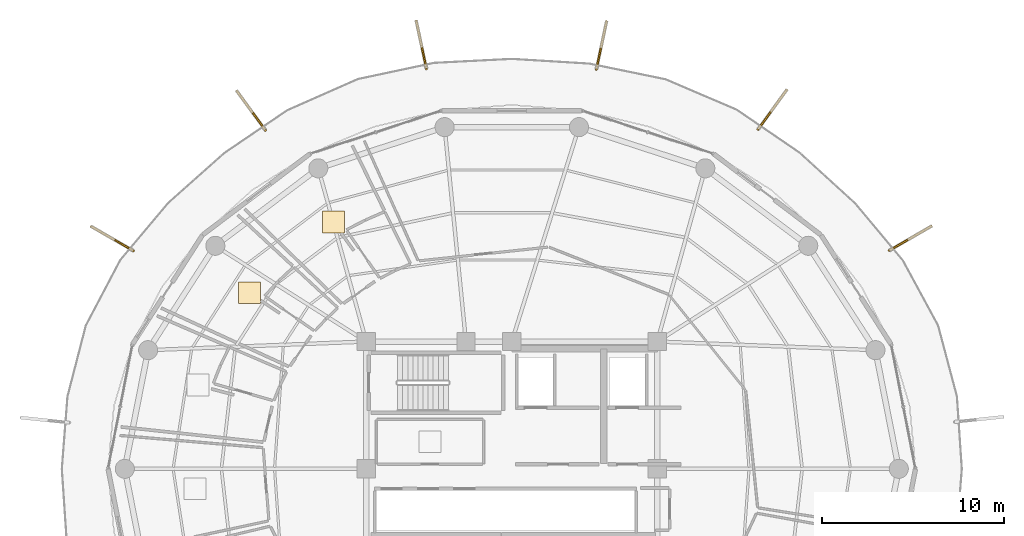
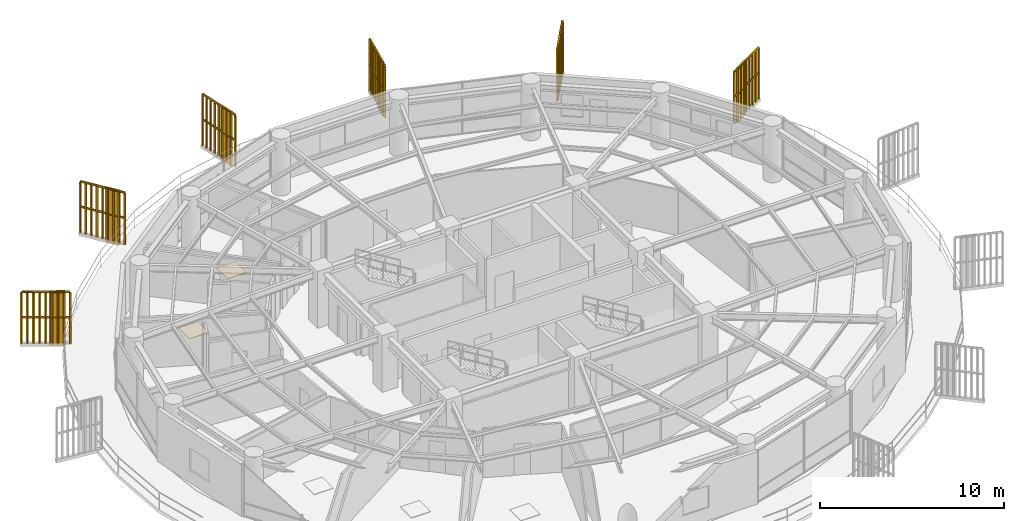
# One storey, part 31 of 31: 6 railings, 6 shading devices, 2 coverings.
"""IFC4 building model written with IfcOpenShell, lengths in metres."""

import ifcopenshell
import ifcopenshell.guid

model = None  # the IFC model being written
_history = None  # IfcOwnerHistory: only IFC2X3 demands one
_inside = {}  # id of a spatial element -> (the spatial element, [elements in it])
_under = {}  # id of a project, library or spatial element -> (it, [spatial elements below it])
_declared = {}  # id of a project -> (the project, [libraries it declares])
_typed = {}  # id of a type object -> (the type object, [elements of that type])
_made_of = {}  # id of a material, layer set ... -> (it, [elements and type objects made of it])


def new_model(schema):
    """Start an empty IFC model of exactly this schema.

    Asked for "IFC4X3", IfcOpenShell would pick the latest addendum, in which some entities
    have other attributes; the version numbers below select the first issue.
    IFC2X3 requires an IfcOwnerHistory on every rooted entity: one is made here for all.
    """
    global model, _history
    if schema == "IFC4X3":
        model = ifcopenshell.file(schema_version=(4, 3, 0, 0))
    else:
        model = ifcopenshell.file(schema=schema)
    _inside.clear()
    _under.clear()
    _declared.clear()
    _typed.clear()
    _made_of.clear()
    _history = None
    if model.schema == "IFC2X3":
        org = make("IfcOrganization", Name="unknown")
        user = make(
            "IfcPersonAndOrganization",
            ThePerson=make("IfcPerson", FamilyName="unknown"),
            TheOrganization=org,
        )
        app = make(
            "IfcApplication",
            ApplicationDeveloper=org,
            Version="unknown",
            ApplicationFullName="unknown",
            ApplicationIdentifier="unknown",
        )
        _history = make(
            "IfcOwnerHistory",
            OwningUser=user,
            OwningApplication=app,
            ChangeAction="ADDED",
            CreationDate=0,
        )
    return model


def make(cls, **values):
    """One entity of the class cls with the attributes given. An attribute that is None is left unset."""
    return model.create_entity(
        cls, **{name: value for name, value in values.items() if value is not None}
    )


def rooted(cls, **values):
    """An entity with a GlobalId (a new one), such as an element, a storey or a relation."""
    return make(cls, GlobalId=ifcopenshell.guid.new(), OwnerHistory=_history, **values)


def si_unit(unit_type, name, prefix=None):
    """IfcSIUnit, for example si_unit("LENGTHUNIT", "METRE", prefix="MILLI")."""
    return make("IfcSIUnit", UnitType=unit_type, Prefix=prefix, Name=name)


def assignment(units):
    """IfcUnitAssignment: the units of a project."""
    return None if units is None else make("IfcUnitAssignment", Units=units)


def point(xyz):
    """IfcCartesianPoint."""
    return None if xyz is None else make("IfcCartesianPoint", Coordinates=xyz)


def direction(xyz):
    """IfcDirection."""
    return None if xyz is None else make("IfcDirection", DirectionRatios=xyz)


def frame(location, z_axis=None, x_axis=None):
    """IfcAxis2Placement3D, a coordinate frame: its origin and axes. An axis left out is left unset."""
    return make(
        "IfcAxis2Placement3D",
        Location=point(location),
        Axis=direction(z_axis),
        RefDirection=direction(x_axis),
    )


def frame_2d(location, x_axis=None):
    """IfcAxis2Placement2D, a coordinate frame in the plane: its origin and x axis."""
    return make(
        "IfcAxis2Placement2D", Location=point(location), RefDirection=direction(x_axis)
    )


def origin():
    """The frame at (0, 0, 0) with its axes left unset."""
    return frame((0.0, 0.0, 0.0))


def origin_2d():
    """The frame at (0, 0) in the plane with its x axis left unset."""
    return frame_2d((0.0, 0.0))


def place(relative_to, where):
    """IfcLocalPlacement: puts the frame where relative to a parent placement (None: the world)."""
    return make(
        "IfcLocalPlacement", PlacementRelTo=relative_to, RelativePlacement=where
    )


def context(
    kind, dimensions, precision=None, world=None, true_north=None, identifier=None
):
    """IfcGeometricRepresentationContext, for example the 3D "Model" context."""
    return make(
        "IfcGeometricRepresentationContext",
        ContextIdentifier=identifier,
        ContextType=kind,
        CoordinateSpaceDimension=dimensions,
        Precision=precision,
        WorldCoordinateSystem=world,
        TrueNorth=true_north,
    )


def subcontext(parent, identifier, kind, view, scale=None):
    """IfcGeometricRepresentationSubContext, for example "Body" below "Model"."""
    return make(
        "IfcGeometricRepresentationSubContext",
        ContextIdentifier=identifier,
        ContextType=kind,
        ParentContext=parent,
        TargetScale=scale,
        TargetView=view,
    )


def project(units=None, contexts=None):
    """IfcProject with its units and contexts."""
    return rooted(
        "IfcProject",
        Name="project",
        RepresentationContexts=contexts,
        UnitsInContext=assignment(units),
    )


def spatial(cls, under=None, at=None, **own):
    """A site, building, storey or space (cls), placed at a placement, below another one or the project."""
    s = rooted(cls, ObjectPlacement=at, **own)
    if under is not None:
        _under.setdefault(under.id(), (under, []))[1].append(s)
    return s


def polyline(points):
    """IfcPolyline through the points."""
    return make("IfcPolyline", Points=[point(p) for p in points])


def profile(cls, at=None, kind="AREA", **sizes):
    """A parametric profile (cls). Its sizes go by their IFC names, for example OverallWidth=200.0."""
    return make(cls, ProfileType=kind, Position=at, **sizes)


def rectangle(**sizes):
    """IfcRectangleProfileDef."""
    return profile("IfcRectangleProfileDef", **sizes)


def outline(outer, holes=None, kind="AREA"):
    """IfcArbitraryClosedProfileDef: a profile drawn as a closed curve; with holes, ...WithVoids."""
    if holes is None:
        return make("IfcArbitraryClosedProfileDef", ProfileType=kind, OuterCurve=outer)
    return make(
        "IfcArbitraryProfileDefWithVoids",
        ProfileType=kind,
        OuterCurve=outer,
        InnerCurves=holes,
    )


def extrude(swept, where, along, depth):
    """IfcExtrudedAreaSolid: the profile swept, set in the frame where, extruded along a direction by depth."""
    return make(
        "IfcExtrudedAreaSolid",
        SweptArea=swept,
        Position=where,
        ExtrudedDirection=direction(along),
        Depth=depth,
    )


def shape(context_of_items, identifier, shape_type, items):
    """IfcShapeRepresentation: the items that make up one representation, for example the "Body"."""
    return make(
        "IfcShapeRepresentation",
        ContextOfItems=context_of_items,
        RepresentationIdentifier=identifier,
        RepresentationType=shape_type,
        Items=items,
    )


def source(mapping_origin, context_of_items, identifier, shape_type, items):
    """IfcRepresentationMap: a shape defined once, which mapped items show again and again."""
    return make(
        "IfcRepresentationMap",
        MappingOrigin=mapping_origin,
        MappedRepresentation=shape(context_of_items, identifier, shape_type, items),
    )


def transform(
    local_origin,
    x_axis=None,
    y_axis=None,
    z_axis=None,
    scale=None,
    scale2=None,
    scale3=None,
    uniform=True,
):
    """IfcCartesianTransformationOperator3D, or its non-uniform kind. x_axis, y_axis, z_axis: its Axis1, 2, 3."""
    if uniform:
        return make(
            "IfcCartesianTransformationOperator3D",
            Axis1=direction(x_axis),
            Axis2=direction(y_axis),
            LocalOrigin=point(local_origin),
            Scale=scale,
            Axis3=direction(z_axis),
        )
    return make(
        "IfcCartesianTransformationOperator3DnonUniform",
        Axis1=direction(x_axis),
        Axis2=direction(y_axis),
        LocalOrigin=point(local_origin),
        Scale=scale,
        Axis3=direction(z_axis),
        Scale2=scale2,
        Scale3=scale3,
    )


def mapped(mapping_source, mapping_target):
    """IfcMappedItem: shows the shape of a source again, moved by a transform."""
    return make(
        "IfcMappedItem", MappingSource=mapping_source, MappingTarget=mapping_target
    )


def material(Name=None, Category=None):
    """IfcMaterial."""
    return make("IfcMaterial", Name=Name, Category=Category)


def layer(
    of_material, thickness, ventilated=None, Name=None, Category=None, Priority=None
):
    """IfcMaterialLayer: one layer of a wall or slab, of a material (None: an air gap)."""
    return make(
        "IfcMaterialLayer",
        Material=of_material,
        LayerThickness=thickness,
        IsVentilated=ventilated,
        Name=Name,
        Category=Category,
        Priority=Priority,
    )


def layer_set(layers, Name=None):
    """IfcMaterialLayerSet."""
    return make("IfcMaterialLayerSet", MaterialLayers=layers, LayerSetName=Name)


def made_of(thing, what):
    """Note that an element or type object is made of a material, layer set ...; save() writes the relation."""
    if what is not None:
        _made_of.setdefault(what.id(), (what, []))[1].append(thing)
    return thing


def type_object(cls, material=None, **own):
    """A type object (cls), such as IfcWallType, which elements share."""
    return made_of(rooted(cls, **own), material)


def element(
    cls,
    number,
    at=None,
    inside=None,
    cuts=None,
    type_object=None,
    material=None,
    context=None,
    identifier="Body",
    shape_type=None,
    held_by="IfcProductDefinitionShape",
    body=None,
    shapes=None,
    **own,
):
    """One element of the class cls, such as IfcWall. Its Tag is "e" and its number.

    at: its placement. inside: the storey or other place that contains it. cuts: it is an
    opening in that element (IfcRelVoidsElement). A single representation is given by context,
    identifier, shape_type and body (its items); several are given by shapes. held_by: the class
    of the entity that holds the representations. save() writes the other relations.
    """
    e = rooted(cls, Tag="e%d" % number, ObjectPlacement=at, **own)
    if body is not None:
        shapes = [shape(context, identifier, shape_type, body)]
    if shapes is not None:
        e.Representation = make(held_by, Representations=shapes)
    if inside is not None:
        _inside.setdefault(inside.id(), (inside, []))[1].append(e)
    if cuts is not None:
        rooted(
            "IfcRelVoidsElement", RelatingBuildingElement=cuts, RelatedOpeningElement=e
        )
    if type_object is not None:
        _typed.setdefault(type_object.id(), (type_object, []))[1].append(e)
    return made_of(e, material)


def aggregate(whole, parts):
    """IfcRelAggregates: a whole, such as a stair, and the parts it consists of."""
    return rooted("IfcRelAggregates", RelatingObject=whole, RelatedObjects=parts)


def save(model, path):
    """Write the relations noted so far, then the file.

    IfcRelAggregates (storeys below a building ...), IfcRelContainedInSpatialStructure (elements
    in a storey), IfcRelDefinesByType, IfcRelAssociatesMaterial and IfcRelDeclares: one each for
    every whole, place, type object, material and project.
    """
    for whole, parts in _under.values():
        aggregate(whole, parts)
    for where, things in _inside.values():
        rooted(
            "IfcRelContainedInSpatialStructure",
            RelatedElements=things,
            RelatingStructure=where,
        )
    for kind, things in _typed.values():
        rooted("IfcRelDefinesByType", RelatedObjects=things, RelatingType=kind)
    for what, things in _made_of.values():
        rooted("IfcRelAssociatesMaterial", RelatedObjects=things, RelatingMaterial=what)
    for by, libraries in _declared.values():
        rooted("IfcRelDeclares", RelatingContext=by, RelatedDefinitions=libraries)
    model.write(path)


model = new_model("IFC4")

# Units and contexts
model_context = context("Model", 3, precision=1e-05, world=origin(), true_north=direction((0.0, 1.0)))
body_context = subcontext(model_context, "Body", "Model", "MODEL_VIEW")
ifc_project = project(units=[si_unit("LENGTHUNIT", "METRE"), si_unit("AREAUNIT", "SQUARE_METRE"), si_unit("VOLUMEUNIT", "CUBIC_METRE"), si_unit("PLANEANGLEUNIT", "RADIAN"), si_unit("MASSUNIT", "GRAM", prefix="KILO")], contexts=[model_context])

# Site, building, storey
site_placement = place(None, origin())
site = spatial("IfcSite", under=ifc_project, at=site_placement, CompositionType="ELEMENT")
building_placement = place(site_placement, origin())
building = spatial("IfcBuilding", under=site, at=building_placement, Name="Kelanora Arch Commons", CompositionType="ELEMENT")
storey_placement = place(building_placement, frame((0.0, 0.0, 223.199951171875)))
storey = spatial("IfcBuildingStorey", under=building, at=storey_placement, Name="L57", CompositionType="ELEMENT", Elevation=223.199951171875)

# Railings
ifc_material_1 = material(Name="Anodised bronze vertical shading fin rib assembly")
railing_type = type_object("IfcRailingType", Name="RAIL-FIN-BRZ", PredefinedType="BALUSTRADE", material=ifc_material_1)
railing_1_placement = place(storey_placement, frame((94.761962890625, 70.007080078125, -0.02001953125)))
element("IfcRailing", 1, at=railing_1_placement, inside=storey, type_object=railing_type, Name="Sweeping Bronze Vertical Fin Blade L57-03", PredefinedType="BALUSTRADE", context=body_context, shape_type="SweptSolid", body=[
    extrude(outline(polyline([(0.06982421875, 0.0), (0.034912109375, 0.060546875), (-0.034912109375, 0.060546875), (-0.06982421875, 0.0), (-0.034912109375, -0.060546875), (0.034912109375, -0.060546875), (0.06982421875, 0.0)])), frame((0.0, 0.0, 3.419921875), z_axis=(0.865646897328, 0.500655020095, 0.0), x_axis=(-0.500655020095, 0.865646897328, 0.0)), (0.0, 0.0, 1.0), 2.65087890625),
    extrude(outline(polyline([(0.06982421875, 0.0), (0.034912109375, 0.060546875), (-0.034912109375, 0.060546875), (-0.06982421875, 0.0), (-0.034912109375, -0.060546875), (0.034912109375, -0.060546875), (0.06982421875, 0.0)])), frame((0.0, 0.0, 1.7451171875), z_axis=(0.865646897328, 0.500655020095, 0.0), x_axis=(-0.500655020095, 0.865646897328, 0.0)), (0.0, 0.0, 1.0), 2.65087890625),
    extrude(outline(polyline([(0.080078125, 0.0), (0.0400390625, 0.0693359375), (-0.0400390625, 0.0693359375), (-0.080078125, 0.0), (-0.0400390625, -0.0693359375), (0.0400390625, -0.0693359375), (0.080078125, 0.0)])), origin(), (0.0, 0.0, 1.0), 3.35009765625),
    extrude(outline(polyline([(0.080078125, 0.0), (0.0400390625, 0.0693359375), (-0.0400390625, 0.0693359375), (-0.080078125, 0.0), (-0.0400390625, -0.0693359375), (0.0400390625, -0.0693359375), (0.080078125, 0.0)])), frame((0.286865234375, 0.166015625, 0.0)), (0.0, 0.0, 1.0), 3.35009765625),
    extrude(outline(polyline([(0.080078125, 0.0), (0.0400390625, 0.0693359375), (-0.0400390625, 0.0693359375), (-0.080078125, 0.0), (-0.0400390625, -0.0693359375), (0.0400390625, -0.0693359375), (0.080078125, 0.0)])), frame((0.57373046875, 0.331787109375, 0.0)), (0.0, 0.0, 1.0), 3.35009765625),
    extrude(outline(polyline([(0.080078125, 0.0), (0.0400390625, 0.0693359375), (-0.0400390625, 0.0693359375), (-0.080078125, 0.0), (-0.0400390625, -0.0693359375), (0.0400390625, -0.0693359375), (0.080078125, 0.0)])), frame((0.860595703125, 0.49755859375, 0.0)), (0.0, 0.0, 1.0), 3.35009765625),
    extrude(outline(polyline([(0.080078125, 0.0), (0.0400390625, 0.0693359375), (-0.0400390625, 0.0693359375), (-0.080078125, 0.0), (-0.0400390625, -0.0693359375), (0.0400390625, -0.0693359375), (0.080078125, 0.0)])), frame((1.1474609375, 0.66357421875, 0.0)), (0.0, 0.0, 1.0), 3.35009765625),
    extrude(outline(polyline([(0.080078125, 0.0), (0.0400390625, 0.0693359375), (-0.0400390625, 0.0693359375), (-0.080078125, 0.0), (-0.0400390625, -0.0693359375), (0.0400390625, -0.0693359375), (0.080078125, 0.0)])), frame((1.43408203125, 0.82958984375, 0.0)), (0.0, 0.0, 1.0), 3.35009765625),
    extrude(outline(polyline([(0.080078125, 0.0), (0.0400390625, 0.0693359375), (-0.0400390625, 0.0693359375), (-0.080078125, 0.0), (-0.0400390625, -0.0693359375), (0.0400390625, -0.0693359375), (0.080078125, 0.0)])), frame((1.720947265625, 0.995361328125, 0.0)), (0.0, 0.0, 1.0), 3.35009765625),
    extrude(outline(polyline([(0.080078125, 0.0), (0.0400390625, 0.0693359375), (-0.0400390625, 0.0693359375), (-0.080078125, 0.0), (-0.0400390625, -0.0693359375), (0.0400390625, -0.0693359375), (0.080078125, 0.0)])), frame((2.0078125, 1.1611328125, 0.0)), (0.0, 0.0, 1.0), 3.35009765625),
    extrude(outline(polyline([(0.080078125, 0.0), (0.0400390625, 0.0693359375), (-0.0400390625, 0.0693359375), (-0.080078125, 0.0), (-0.0400390625, -0.0693359375), (0.0400390625, -0.0693359375), (0.080078125, 0.0)])), frame((2.294677734375, 1.3271484375, 0.0)), (0.0, 0.0, 1.0), 3.35009765625),
])
railing_2_placement = place(storey_placement, frame((87.547607421875, 76.67529296875, -0.02001953125)))
element("IfcRailing", 2, at=railing_2_placement, inside=storey, type_object=railing_type, Name="Sweeping Bronze Vertical Fin Blade L57-04", PredefinedType="BALUSTRADE", context=body_context, shape_type="SweptSolid", body=[
    extrude(outline(polyline([(0.06982421875, 0.0), (0.034912109375, 0.060546875), (-0.034912109375, 0.060546875), (-0.06982421875, 0.0), (-0.034912109375, -0.060546875), (0.034912109375, -0.060546875), (0.06982421875, 0.0)])), frame((0.0, 0.0, 3.419921875), z_axis=(0.587147156859, 0.809480213589, 0.0), x_axis=(-0.809480213589, 0.587147156859, 0.0)), (0.0, 0.0, 1.0), 2.65087890625),
    extrude(outline(polyline([(0.06982421875, 0.0), (0.034912109375, 0.060546875), (-0.034912109375, 0.060546875), (-0.06982421875, 0.0), (-0.034912109375, -0.060546875), (0.034912109375, -0.060546875), (0.06982421875, 0.0)])), frame((0.0, 0.0, 1.7451171875), z_axis=(0.587147156859, 0.809480213589, 0.0), x_axis=(-0.809480213589, 0.587147156859, 0.0)), (0.0, 0.0, 1.0), 2.65087890625),
    extrude(outline(polyline([(0.080078125, 0.0), (0.0400390625, 0.0693359375), (-0.0400390625, 0.0693359375), (-0.080078125, 0.0), (-0.0400390625, -0.0693359375), (0.0400390625, -0.0693359375), (0.080078125, 0.0)])), origin(), (0.0, 0.0, 1.0), 3.35009765625),
    extrude(outline(polyline([(0.080078125, 0.0), (0.0400390625, 0.0693359375), (-0.0400390625, 0.0693359375), (-0.080078125, 0.0), (-0.0400390625, -0.0693359375), (0.0400390625, -0.0693359375), (0.080078125, 0.0)])), frame((0.194580078125, 0.268310546875, 0.0)), (0.0, 0.0, 1.0), 3.35009765625),
    extrude(outline(polyline([(0.080078125, 0.0), (0.0400390625, 0.0693359375), (-0.0400390625, 0.0693359375), (-0.080078125, 0.0), (-0.0400390625, -0.0693359375), (0.0400390625, -0.0693359375), (0.080078125, 0.0)])), frame((0.38916015625, 0.536376953125, 0.0)), (0.0, 0.0, 1.0), 3.35009765625),
    extrude(outline(polyline([(0.080078125, 0.0), (0.0400390625, 0.0693359375), (-0.0400390625, 0.0693359375), (-0.080078125, 0.0), (-0.0400390625, -0.0693359375), (0.0400390625, -0.0693359375), (0.080078125, 0.0)])), frame((0.583740234375, 0.8046875, 0.0)), (0.0, 0.0, 1.0), 3.35009765625),
    extrude(outline(polyline([(0.080078125, 0.0), (0.0400390625, 0.0693359375), (-0.0400390625, 0.0693359375), (-0.080078125, 0.0), (-0.0400390625, -0.0693359375), (0.0400390625, -0.0693359375), (0.080078125, 0.0)])), frame((0.7783203125, 1.07275390625, 0.0)), (0.0, 0.0, 1.0), 3.35009765625),
    extrude(outline(polyline([(0.080078125, 0.0), (0.0400390625, 0.0693359375), (-0.0400390625, 0.0693359375), (-0.080078125, 0.0), (-0.0400390625, -0.0693359375), (0.0400390625, -0.0693359375), (0.080078125, 0.0)])), frame((0.97265625, 1.341064453125, 0.0)), (0.0, 0.0, 1.0), 3.35009765625),
    extrude(outline(polyline([(0.080078125, 0.0), (0.0400390625, 0.0693359375), (-0.0400390625, 0.0693359375), (-0.080078125, 0.0), (-0.0400390625, -0.0693359375), (0.0400390625, -0.0693359375), (0.080078125, 0.0)])), frame((1.167236328125, 1.609375, 0.0)), (0.0, 0.0, 1.0), 3.35009765625),
    extrude(outline(polyline([(0.080078125, 0.0), (0.0400390625, 0.0693359375), (-0.0400390625, 0.0693359375), (-0.080078125, 0.0), (-0.0400390625, -0.0693359375), (0.0400390625, -0.0693359375), (0.080078125, 0.0)])), frame((1.36181640625, 1.87744140625, 0.0)), (0.0, 0.0, 1.0), 3.35009765625),
    extrude(outline(polyline([(0.080078125, 0.0), (0.0400390625, 0.0693359375), (-0.0400390625, 0.0693359375), (-0.080078125, 0.0), (-0.0400390625, -0.0693359375), (0.0400390625, -0.0693359375), (0.080078125, 0.0)])), frame((1.556396484375, 2.145751953125, 0.0)), (0.0, 0.0, 1.0), 3.35009765625),
])
railing_3_placement = place(storey_placement, frame((78.6552734375, 79.980224609375, -0.02001953125)))
element("IfcRailing", 3, at=railing_3_placement, inside=storey, type_object=railing_type, Name="Sweeping Bronze Vertical Fin Blade L57-05", PredefinedType="BALUSTRADE", context=body_context, shape_type="SweptSolid", body=[
    extrude(outline(polyline([(0.06982421875, 0.0), (0.034912109375, 0.060546875), (-0.034912109375, 0.060546875), (-0.06982421875, 0.0), (-0.034912109375, -0.060546875), (0.034912109375, -0.060546875), (0.06982421875, 0.0)])), frame((0.0, 0.0, 3.419921875), z_axis=(0.207138293188, 0.978311671961, 0.0), x_axis=(-0.978311671961, 0.207138293188, 0.0)), (0.0, 0.0, 1.0), 2.650634765625),
    extrude(outline(polyline([(0.06982421875, 0.0), (0.034912109375, 0.060546875), (-0.034912109375, 0.060546875), (-0.06982421875, 0.0), (-0.034912109375, -0.060546875), (0.034912109375, -0.060546875), (0.06982421875, 0.0)])), frame((0.0, 0.0, 1.7451171875), z_axis=(0.207138293188, 0.978311671961, 0.0), x_axis=(-0.978311671961, 0.207138293188, 0.0)), (0.0, 0.0, 1.0), 2.650634765625),
    extrude(outline(polyline([(0.080078125, 0.0), (0.0400390625, 0.0693359375), (-0.0400390625, 0.0693359375), (-0.080078125, 0.0), (-0.0400390625, -0.0693359375), (0.0400390625, -0.0693359375), (0.080078125, 0.0)])), origin(), (0.0, 0.0, 1.0), 3.35009765625),
    extrude(outline(polyline([(0.080078125, 0.0), (0.0400390625, 0.0693359375), (-0.0400390625, 0.0693359375), (-0.080078125, 0.0), (-0.0400390625, -0.0693359375), (0.0400390625, -0.0693359375), (0.080078125, 0.0)])), frame((0.068603515625, 0.32421875, 0.0)), (0.0, 0.0, 1.0), 3.35009765625),
    extrude(outline(polyline([(0.080078125, 0.0), (0.0400390625, 0.0693359375), (-0.0400390625, 0.0693359375), (-0.080078125, 0.0), (-0.0400390625, -0.0693359375), (0.0400390625, -0.0693359375), (0.080078125, 0.0)])), frame((0.13720703125, 0.6484375, 0.0)), (0.0, 0.0, 1.0), 3.35009765625),
    extrude(outline(polyline([(0.080078125, 0.0), (0.0400390625, 0.0693359375), (-0.0400390625, 0.0693359375), (-0.080078125, 0.0), (-0.0400390625, -0.0693359375), (0.0400390625, -0.0693359375), (0.080078125, 0.0)])), frame((0.205810546875, 0.972412109375, 0.0)), (0.0, 0.0, 1.0), 3.35009765625),
    extrude(outline(polyline([(0.080078125, 0.0), (0.0400390625, 0.0693359375), (-0.0400390625, 0.0693359375), (-0.080078125, 0.0), (-0.0400390625, -0.0693359375), (0.0400390625, -0.0693359375), (0.080078125, 0.0)])), frame((0.2744140625, 1.296630859375, 0.0)), (0.0, 0.0, 1.0), 3.35009765625),
    extrude(outline(polyline([(0.080078125, 0.0), (0.0400390625, 0.0693359375), (-0.0400390625, 0.0693359375), (-0.080078125, 0.0), (-0.0400390625, -0.0693359375), (0.0400390625, -0.0693359375), (0.080078125, 0.0)])), frame((0.34326171875, 1.620849609375, 0.0)), (0.0, 0.0, 1.0), 3.35009765625),
    extrude(outline(polyline([(0.080078125, 0.0), (0.0400390625, 0.0693359375), (-0.0400390625, 0.0693359375), (-0.080078125, 0.0), (-0.0400390625, -0.0693359375), (0.0400390625, -0.0693359375), (0.080078125, 0.0)])), frame((0.411865234375, 1.94482421875, 0.0)), (0.0, 0.0, 1.0), 3.35009765625),
    extrude(outline(polyline([(0.080078125, 0.0), (0.0400390625, 0.0693359375), (-0.0400390625, 0.0693359375), (-0.080078125, 0.0), (-0.0400390625, -0.0693359375), (0.0400390625, -0.0693359375), (0.080078125, 0.0)])), frame((0.48046875, 2.26904296875, 0.0)), (0.0, 0.0, 1.0), 3.35009765625),
    extrude(outline(polyline([(0.080078125, 0.0), (0.0400390625, 0.0693359375), (-0.0400390625, 0.0693359375), (-0.080078125, 0.0), (-0.0400390625, -0.0693359375), (0.0400390625, -0.0693359375), (0.080078125, 0.0)])), frame((0.549072265625, 2.59326171875, 0.0)), (0.0, 0.0, 1.0), 3.35009765625),
])
railing_4_placement = place(storey_placement, frame((69.3046875, 80.0107421875, -0.02001953125)))
element("IfcRailing", 4, at=railing_4_placement, inside=storey, type_object=railing_type, Name="Sweeping Bronze Vertical Fin Blade L57-06", PredefinedType="BALUSTRADE", context=body_context, shape_type="SweptSolid", body=[
    extrude(outline(polyline([(0.06982421875, 0.0), (0.034912109375, 0.060546875), (-0.034912109375, 0.060546875), (-0.06982421875, 0.0), (-0.034912109375, -0.060546875), (0.034912109375, -0.060546875), (0.06982421875, 0.0)])), frame((0.0, 0.0, 3.419921875), z_axis=(-0.208604410176, 0.978000102278, 0.0), x_axis=(-0.978000102278, -0.208604410176, 0.0)), (0.0, 0.0, 1.0), 2.65087890625),
    extrude(outline(polyline([(0.06982421875, 0.0), (0.034912109375, 0.060546875), (-0.034912109375, 0.060546875), (-0.06982421875, 0.0), (-0.034912109375, -0.060546875), (0.034912109375, -0.060546875), (0.06982421875, 0.0)])), frame((0.0, 0.0, 1.7451171875), z_axis=(-0.208604410176, 0.978000102278, 0.0), x_axis=(-0.978000102278, -0.208604410176, 0.0)), (0.0, 0.0, 1.0), 2.65087890625),
    extrude(outline(polyline([(0.080078125, 0.0), (0.0400390625, 0.0693359375), (-0.0400390625, 0.0693359375), (-0.080078125, 0.0), (-0.0400390625, -0.0693359375), (0.0400390625, -0.0693359375), (0.080078125, 0.0)])), origin(), (0.0, 0.0, 1.0), 3.35009765625),
    extrude(outline(polyline([(0.080078125, 0.0), (0.0400390625, 0.0693359375), (-0.0400390625, 0.0693359375), (-0.080078125, 0.0), (-0.0400390625, -0.0693359375), (0.0400390625, -0.0693359375), (0.080078125, 0.0)])), frame((-0.069091796875, 0.323974609375, 0.0)), (0.0, 0.0, 1.0), 3.35009765625),
    extrude(outline(polyline([(0.080078125, 0.0), (0.0400390625, 0.0693359375), (-0.0400390625, 0.0693359375), (-0.080078125, 0.0), (-0.0400390625, -0.0693359375), (0.0400390625, -0.0693359375), (0.080078125, 0.0)])), frame((-0.13818359375, 0.648193359375, 0.0)), (0.0, 0.0, 1.0), 3.35009765625),
    extrude(outline(polyline([(0.080078125, 0.0), (0.0400390625, 0.0693359375), (-0.0400390625, 0.0693359375), (-0.080078125, 0.0), (-0.0400390625, -0.0693359375), (0.0400390625, -0.0693359375), (0.080078125, 0.0)])), frame((-0.207275390625, 0.97216796875, 0.0)), (0.0, 0.0, 1.0), 3.35009765625),
    extrude(outline(polyline([(0.080078125, 0.0), (0.0400390625, 0.0693359375), (-0.0400390625, 0.0693359375), (-0.080078125, 0.0), (-0.0400390625, -0.0693359375), (0.0400390625, -0.0693359375), (0.080078125, 0.0)])), frame((-0.2763671875, 1.29638671875, 0.0)), (0.0, 0.0, 1.0), 3.35009765625),
    extrude(outline(polyline([(0.080078125, 0.0), (0.0400390625, 0.0693359375), (-0.0400390625, 0.0693359375), (-0.080078125, 0.0), (-0.0400390625, -0.0693359375), (0.0400390625, -0.0693359375), (0.080078125, 0.0)])), frame((-0.345703125, 1.620361328125, 0.0)), (0.0, 0.0, 1.0), 3.35009765625),
    extrude(outline(polyline([(0.080078125, 0.0), (0.0400390625, 0.0693359375), (-0.0400390625, 0.0693359375), (-0.080078125, 0.0), (-0.0400390625, -0.0693359375), (0.0400390625, -0.0693359375), (0.080078125, 0.0)])), frame((-0.414794921875, 1.9443359375, 0.0)), (0.0, 0.0, 1.0), 3.35009765625),
    extrude(outline(polyline([(0.080078125, 0.0), (0.0400390625, 0.0693359375), (-0.0400390625, 0.0693359375), (-0.080078125, 0.0), (-0.0400390625, -0.0693359375), (0.0400390625, -0.0693359375), (0.080078125, 0.0)])), frame((-0.48388671875, 2.2685546875, 0.0)), (0.0, 0.0, 1.0), 3.35009765625),
    extrude(outline(polyline([(0.080078125, 0.0), (0.0400390625, 0.0693359375), (-0.0400390625, 0.0693359375), (-0.080078125, 0.0), (-0.0400390625, -0.0693359375), (0.0400390625, -0.0693359375), (0.080078125, 0.0)])), frame((-0.552978515625, 2.592529296875, 0.0)), (0.0, 0.0, 1.0), 3.35009765625),
])
railing_5_placement = place(storey_placement, frame((60.443603515625, 76.630126953125, -0.02001953125)))
element("IfcRailing", 5, at=railing_5_placement, inside=storey, type_object=railing_type, Name="Sweeping Bronze Vertical Fin Blade L57-07", PredefinedType="BALUSTRADE", context=body_context, shape_type="SweptSolid", body=[
    extrude(outline(polyline([(0.06982421875, 0.0), (0.034912109375, 0.060546875), (-0.034912109375, 0.060546875), (-0.06982421875, 0.0), (-0.034912109375, -0.060546875), (0.034912109375, -0.060546875), (0.06982421875, 0.0)])), frame((0.0, 0.0, 3.419921875), z_axis=(-0.588385234478, 0.8085807417, 0.0), x_axis=(-0.8085807417, -0.588385234478, 0.0)), (0.0, 0.0, 1.0), 2.651123046875),
    extrude(outline(polyline([(0.06982421875, 0.0), (0.034912109375, 0.060546875), (-0.034912109375, 0.060546875), (-0.06982421875, 0.0), (-0.034912109375, -0.060546875), (0.034912109375, -0.060546875), (0.06982421875, 0.0)])), frame((0.0, 0.0, 1.7451171875), z_axis=(-0.588385234478, 0.8085807417, 0.0), x_axis=(-0.8085807417, -0.588385234478, 0.0)), (0.0, 0.0, 1.0), 2.651123046875),
    extrude(outline(polyline([(0.080078125, 0.0), (0.0400390625, 0.0693359375), (-0.0400390625, 0.0693359375), (-0.080078125, 0.0), (-0.0400390625, -0.0693359375), (0.0400390625, -0.0693359375), (0.080078125, 0.0)])), origin(), (0.0, 0.0, 1.0), 3.35009765625),
    extrude(outline(polyline([(0.080078125, 0.0), (0.0400390625, 0.0693359375), (-0.0400390625, 0.0693359375), (-0.080078125, 0.0), (-0.0400390625, -0.0693359375), (0.0400390625, -0.0693359375), (0.080078125, 0.0)])), frame((-0.195068359375, 0.26806640625, 0.0)), (0.0, 0.0, 1.0), 3.35009765625),
    extrude(outline(polyline([(0.080078125, 0.0), (0.0400390625, 0.0693359375), (-0.0400390625, 0.0693359375), (-0.080078125, 0.0), (-0.0400390625, -0.0693359375), (0.0400390625, -0.0693359375), (0.080078125, 0.0)])), frame((-0.389892578125, 0.535888671875, 0.0)), (0.0, 0.0, 1.0), 3.35009765625),
    extrude(outline(polyline([(0.080078125, 0.0), (0.0400390625, 0.0693359375), (-0.0400390625, 0.0693359375), (-0.080078125, 0.0), (-0.0400390625, -0.0693359375), (0.0400390625, -0.0693359375), (0.080078125, 0.0)])), frame((-0.5849609375, 0.8037109375, 0.0)), (0.0, 0.0, 1.0), 3.35009765625),
    extrude(outline(polyline([(0.080078125, 0.0), (0.0400390625, 0.0693359375), (-0.0400390625, 0.0693359375), (-0.080078125, 0.0), (-0.0400390625, -0.0693359375), (0.0400390625, -0.0693359375), (0.080078125, 0.0)])), frame((-0.77978515625, 1.07177734375, 0.0)), (0.0, 0.0, 1.0), 3.35009765625),
    extrude(outline(polyline([(0.080078125, 0.0), (0.0400390625, 0.0693359375), (-0.0400390625, 0.0693359375), (-0.080078125, 0.0), (-0.0400390625, -0.0693359375), (0.0400390625, -0.0693359375), (0.080078125, 0.0)])), frame((-0.974853515625, 1.33984375, 0.0)), (0.0, 0.0, 1.0), 3.35009765625),
    extrude(outline(polyline([(0.080078125, 0.0), (0.0400390625, 0.0693359375), (-0.0400390625, 0.0693359375), (-0.080078125, 0.0), (-0.0400390625, -0.0693359375), (0.0400390625, -0.0693359375), (0.080078125, 0.0)])), frame((-1.169921875, 1.607666015625, 0.0)), (0.0, 0.0, 1.0), 3.35009765625),
    extrude(outline(polyline([(0.080078125, 0.0), (0.0400390625, 0.0693359375), (-0.0400390625, 0.0693359375), (-0.080078125, 0.0), (-0.0400390625, -0.0693359375), (0.0400390625, -0.0693359375), (0.080078125, 0.0)])), frame((-1.36474609375, 1.87548828125, 0.0)), (0.0, 0.0, 1.0), 3.35009765625),
    extrude(outline(polyline([(0.080078125, 0.0), (0.0400390625, 0.0693359375), (-0.0400390625, 0.0693359375), (-0.080078125, 0.0), (-0.0400390625, -0.0693359375), (0.0400390625, -0.0693359375), (0.080078125, 0.0)])), frame((-1.559814453125, 2.1435546875, 0.0)), (0.0, 0.0, 1.0), 3.35009765625),
])
railing_6_placement = place(storey_placement, frame((53.185302734375, 69.9970703125, -0.02001953125)))
element("IfcRailing", 6, at=railing_6_placement, inside=storey, type_object=railing_type, Name="Sweeping Bronze Vertical Fin Blade L57-08", PredefinedType="BALUSTRADE", context=body_context, shape_type="SweptSolid", body=[
    extrude(outline(polyline([(0.06982421875, 0.0), (0.034912109375, 0.060546875), (-0.034912109375, 0.060546875), (-0.06982421875, 0.0), (-0.034912109375, -0.060546875), (0.034912109375, -0.060546875), (0.06982421875, 0.0)])), frame((0.0, 0.0, 3.419921875), z_axis=(-0.866389443453, 0.499368934028, 0.0), x_axis=(-0.499368934028, -0.866389443453, 0.0)), (0.0, 0.0, 1.0), 2.65087890625),
    extrude(outline(polyline([(0.06982421875, 0.0), (0.034912109375, 0.060546875), (-0.034912109375, 0.060546875), (-0.06982421875, 0.0), (-0.034912109375, -0.060546875), (0.034912109375, -0.060546875), (0.06982421875, 0.0)])), frame((0.0, 0.0, 1.7451171875), z_axis=(-0.866389443453, 0.499368934028, 0.0), x_axis=(-0.499368934028, -0.866389443453, 0.0)), (0.0, 0.0, 1.0), 2.65087890625),
    extrude(outline(polyline([(0.080078125, 0.0), (0.0400390625, 0.0693359375), (-0.0400390625, 0.0693359375), (-0.080078125, 0.0), (-0.0400390625, -0.0693359375), (0.0400390625, -0.0693359375), (0.080078125, 0.0)])), origin(), (0.0, 0.0, 1.0), 3.35009765625),
    extrude(outline(polyline([(0.080078125, 0.0), (0.0400390625, 0.0693359375), (-0.0400390625, 0.0693359375), (-0.080078125, 0.0), (-0.0400390625, -0.0693359375), (0.0400390625, -0.0693359375), (0.080078125, 0.0)])), frame((-0.287109375, 0.16552734375, 0.0)), (0.0, 0.0, 1.0), 3.35009765625),
    extrude(outline(polyline([(0.080078125, 0.0), (0.0400390625, 0.0693359375), (-0.0400390625, 0.0693359375), (-0.080078125, 0.0), (-0.0400390625, -0.0693359375), (0.0400390625, -0.0693359375), (0.080078125, 0.0)])), frame((-0.57421875, 0.3310546875, 0.0)), (0.0, 0.0, 1.0), 3.35009765625),
    extrude(outline(polyline([(0.080078125, 0.0), (0.0400390625, 0.0693359375), (-0.0400390625, 0.0693359375), (-0.080078125, 0.0), (-0.0400390625, -0.0693359375), (0.0400390625, -0.0693359375), (0.080078125, 0.0)])), frame((-0.861328125, 0.496337890625, 0.0)), (0.0, 0.0, 1.0), 3.35009765625),
    extrude(outline(polyline([(0.080078125, 0.0), (0.0400390625, 0.0693359375), (-0.0400390625, 0.0693359375), (-0.080078125, 0.0), (-0.0400390625, -0.0693359375), (0.0400390625, -0.0693359375), (0.080078125, 0.0)])), frame((-1.1484375, 0.661865234375, 0.0)), (0.0, 0.0, 1.0), 3.35009765625),
    extrude(outline(polyline([(0.080078125, 0.0), (0.0400390625, 0.0693359375), (-0.0400390625, 0.0693359375), (-0.080078125, 0.0), (-0.0400390625, -0.0693359375), (0.0400390625, -0.0693359375), (0.080078125, 0.0)])), frame((-1.435302734375, 0.827392578125, 0.0)), (0.0, 0.0, 1.0), 3.35009765625),
    extrude(outline(polyline([(0.080078125, 0.0), (0.0400390625, 0.0693359375), (-0.0400390625, 0.0693359375), (-0.080078125, 0.0), (-0.0400390625, -0.0693359375), (0.0400390625, -0.0693359375), (0.080078125, 0.0)])), frame((-1.722412109375, 0.99267578125, 0.0)), (0.0, 0.0, 1.0), 3.35009765625),
    extrude(outline(polyline([(0.080078125, 0.0), (0.0400390625, 0.0693359375), (-0.0400390625, 0.0693359375), (-0.080078125, 0.0), (-0.0400390625, -0.0693359375), (0.0400390625, -0.0693359375), (0.080078125, 0.0)])), frame((-2.009521484375, 1.158203125, 0.0)), (0.0, 0.0, 1.0), 3.35009765625),
    extrude(outline(polyline([(0.080078125, 0.0), (0.0400390625, 0.0693359375), (-0.0400390625, 0.0693359375), (-0.080078125, 0.0), (-0.0400390625, -0.0693359375), (0.0400390625, -0.0693359375), (0.080078125, 0.0)])), frame((-2.296630859375, 1.32373046875, 0.0)), (0.0, 0.0, 1.0), 3.35009765625),
])

# Shading devices
ifc_material_2 = material(Name="Terracotta ceramic-clad extruded aluminium fin", Category="masonry")
shading_device_type = type_object("IfcShadingDeviceType", Name="SHD-FIN-FLARE", PredefinedType="USERDEFINED", material=ifc_material_2)
shared_shape_1 = source(origin(), body_context, "Body", "SweptSolid", [
    extrude(rectangle(XDim=0.8798828125, YDim=0.090087890625, at=origin_2d()), origin(), (0.0, 0.0, 1.0), 3.610107421875),
])
for number, where, z_axis, x_axis, name in (
    (7, (95.38525390625, 70.36767578125, -0.14013671875), (0.0, 0.0, 1.0), (0.865676126917, 0.500604477892, 0.0), "Sweeping Terracotta Fin L57-03"),
    (8, (87.970458984375, 77.25830078125, -0.14013671875), (0.0, 0.0, 1.0), (0.587220308688, 0.809427148707, 0.0), "Sweeping Terracotta Fin L57-04"),
    (9, (78.804443359375, 80.6845703125, -0.14013671875), (0.0, 0.0, 1.0), (0.207228764358, 0.978292512096, 0.0), "Sweeping Terracotta Fin L57-05"),
    (10, (69.154296875, 80.71484375, -0.14013671875), (0.0, 0.0, 1.0), (-0.208594515944, 0.978002212635, 0.0), "Sweeping Terracotta Fin L57-06"),
    (11, (60.019775390625, 77.21240234375, -0.14013671875), (0.0, 0.0, 1.0), (-0.588349909417, 0.808606445738, 0.0), "Sweeping Terracotta Fin L57-07"),
    (12, (52.5615234375, 70.356689453125, -0.14013671875), (0.0, 0.0, 1.0), (-0.866374258561, 0.499395278414, 0.0), "Sweeping Terracotta Fin L57-08"),
):
    element("IfcShadingDevice", number, at=place(storey_placement, frame(where, z_axis=z_axis, x_axis=x_axis)), inside=storey, type_object=shading_device_type, Name=name, ObjectType="FIN", PredefinedType="USERDEFINED", context=body_context, shape_type="MappedRepresentation", body=[
        mapped(shared_shape_1, transform((0.0, 0.0, 0.0), scale=1.0)),
    ])

# Coverings
ifc_material_3 = material(Name="Polished local granite terrazzo flooring", Category="masonry")
ifc_layer = layer(ifc_material_3, 0.030029296875)
ifc_layer_set = layer_set([ifc_layer], Name="Polished local granite terrazzo flooring")
covering_type = type_object("IfcCoveringType", Name="COV-FLR-TER", PredefinedType="FLOORING", material=ifc_layer_set)
shared_shape_2 = source(origin(), body_context, "Body", "SweptSolid", [
    extrude(rectangle(XDim=1.199951171875, YDim=1.199951171875, at=origin_2d()), origin(), (0.0, 0.0, 1.0), 0.030029296875),
])
for number, where, z_axis, x_axis, name in (
    (13, (64.198486328125, 71.568359375, 0.0), (0.0, 0.0, 1.0), (1.0, 0.0, 0.0), "Cluster Bedroom L57-01 Terrazzo Finish"),
    (14, (59.580810546875, 67.686767578125, 0.0), (0.0, 0.0, 1.0), (1.0, 0.0, 0.0), "Cluster Bedroom L57-02 Terrazzo Finish"),
):
    element("IfcCovering", number, at=place(storey_placement, frame(where, z_axis=z_axis, x_axis=x_axis)), inside=storey, type_object=covering_type, Name=name, PredefinedType="FLOORING", context=body_context, shape_type="MappedRepresentation", body=[
        mapped(shared_shape_2, transform((0.0, 0.0, 0.0), scale=1.0)),
    ])

save(model, "model.ifc")
